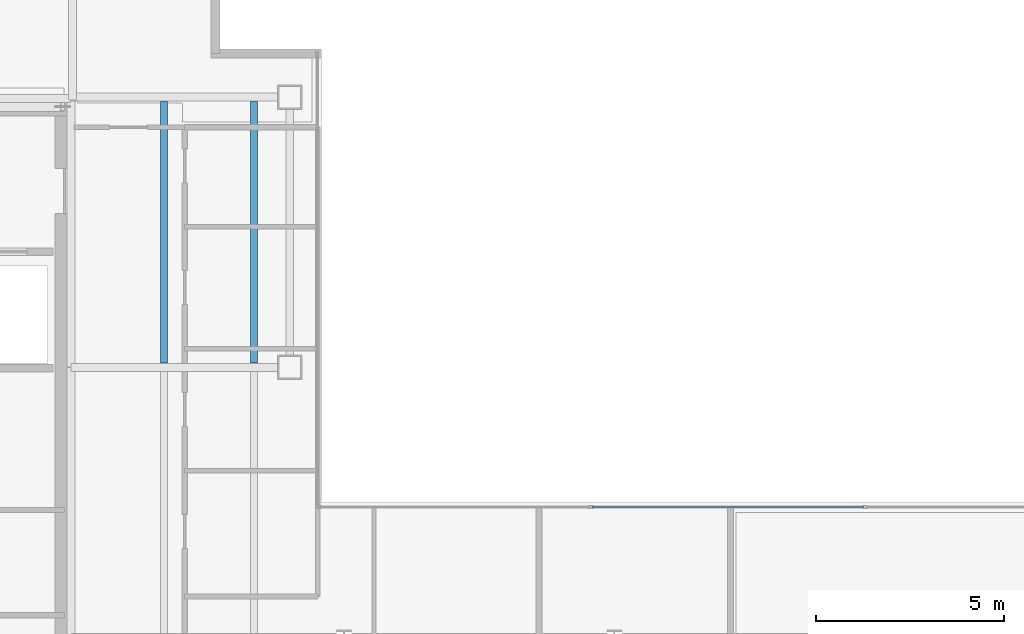
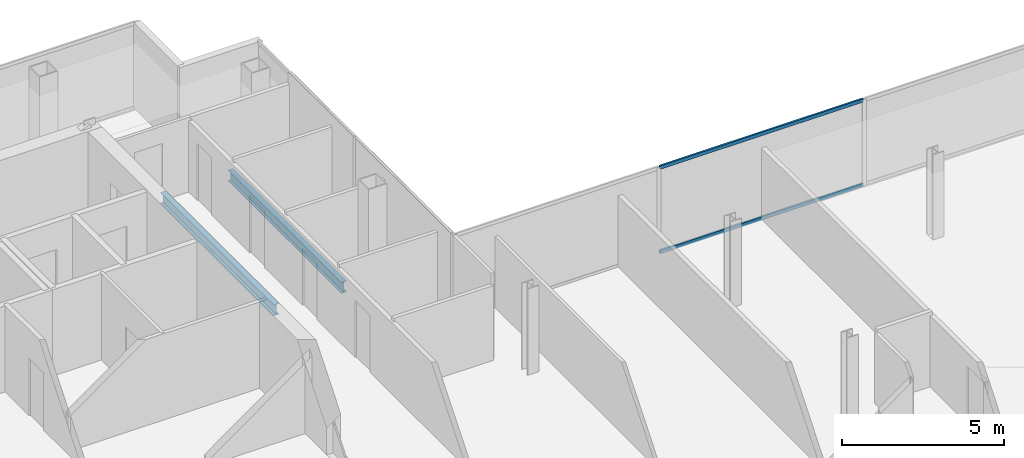
# One storey, part 10 of 23: 2 beams, 2 members, 1 element without a shape of its own.
"""IFC4 building model written with IfcOpenShell, lengths in metres."""

import ifcopenshell
import ifcopenshell.guid

model = None  # the IFC model being written
_history = None  # IfcOwnerHistory: only IFC2X3 demands one
_inside = {}  # id of a spatial element -> (the spatial element, [elements in it])
_under = {}  # id of a project, library or spatial element -> (it, [spatial elements below it])
_declared = {}  # id of a project -> (the project, [libraries it declares])
_typed = {}  # id of a type object -> (the type object, [elements of that type])
_made_of = {}  # id of a material, layer set ... -> (it, [elements and type objects made of it])


def new_model(schema):
    """Start an empty IFC model of exactly this schema.

    Asked for "IFC4X3", IfcOpenShell would pick the latest addendum, in which some entities
    have other attributes; the version numbers below select the first issue.
    IFC2X3 requires an IfcOwnerHistory on every rooted entity: one is made here for all.
    """
    global model, _history
    if schema == "IFC4X3":
        model = ifcopenshell.file(schema_version=(4, 3, 0, 0))
    else:
        model = ifcopenshell.file(schema=schema)
    _inside.clear()
    _under.clear()
    _declared.clear()
    _typed.clear()
    _made_of.clear()
    _history = None
    if model.schema == "IFC2X3":
        org = make("IfcOrganization", Name="unknown")
        user = make(
            "IfcPersonAndOrganization",
            ThePerson=make("IfcPerson", FamilyName="unknown"),
            TheOrganization=org,
        )
        app = make(
            "IfcApplication",
            ApplicationDeveloper=org,
            Version="unknown",
            ApplicationFullName="unknown",
            ApplicationIdentifier="unknown",
        )
        _history = make(
            "IfcOwnerHistory",
            OwningUser=user,
            OwningApplication=app,
            ChangeAction="ADDED",
            CreationDate=0,
        )
    return model


def make(cls, **values):
    """One entity of the class cls with the attributes given. An attribute that is None is left unset."""
    return model.create_entity(
        cls, **{name: value for name, value in values.items() if value is not None}
    )


def rooted(cls, **values):
    """An entity with a GlobalId (a new one), such as an element, a storey or a relation."""
    return make(cls, GlobalId=ifcopenshell.guid.new(), OwnerHistory=_history, **values)


def si_unit(unit_type, name, prefix=None):
    """IfcSIUnit, for example si_unit("LENGTHUNIT", "METRE", prefix="MILLI")."""
    return make("IfcSIUnit", UnitType=unit_type, Prefix=prefix, Name=name)


def assignment(units):
    """IfcUnitAssignment: the units of a project."""
    return None if units is None else make("IfcUnitAssignment", Units=units)


def point(xyz):
    """IfcCartesianPoint."""
    return None if xyz is None else make("IfcCartesianPoint", Coordinates=xyz)


def direction(xyz):
    """IfcDirection."""
    return None if xyz is None else make("IfcDirection", DirectionRatios=xyz)


def frame(location, z_axis=None, x_axis=None):
    """IfcAxis2Placement3D, a coordinate frame: its origin and axes. An axis left out is left unset."""
    return make(
        "IfcAxis2Placement3D",
        Location=point(location),
        Axis=direction(z_axis),
        RefDirection=direction(x_axis),
    )


def frame_2d(location, x_axis=None):
    """IfcAxis2Placement2D, a coordinate frame in the plane: its origin and x axis."""
    return make(
        "IfcAxis2Placement2D", Location=point(location), RefDirection=direction(x_axis)
    )


def origin():
    """The frame at (0, 0, 0) with its axes left unset."""
    return frame((0.0, 0.0, 0.0))


def origin_2d():
    """The frame at (0, 0) in the plane with its x axis left unset."""
    return frame_2d((0.0, 0.0))


def place(relative_to, where):
    """IfcLocalPlacement: puts the frame where relative to a parent placement (None: the world)."""
    return make(
        "IfcLocalPlacement", PlacementRelTo=relative_to, RelativePlacement=where
    )


def context(
    kind, dimensions, precision=None, world=None, true_north=None, identifier=None
):
    """IfcGeometricRepresentationContext, for example the 3D "Model" context."""
    return make(
        "IfcGeometricRepresentationContext",
        ContextIdentifier=identifier,
        ContextType=kind,
        CoordinateSpaceDimension=dimensions,
        Precision=precision,
        WorldCoordinateSystem=world,
        TrueNorth=true_north,
    )


def subcontext(parent, identifier, kind, view, scale=None):
    """IfcGeometricRepresentationSubContext, for example "Body" below "Model"."""
    return make(
        "IfcGeometricRepresentationSubContext",
        ContextIdentifier=identifier,
        ContextType=kind,
        ParentContext=parent,
        TargetScale=scale,
        TargetView=view,
    )


def project(units=None, contexts=None):
    """IfcProject with its units and contexts."""
    return rooted(
        "IfcProject",
        Name="project",
        RepresentationContexts=contexts,
        UnitsInContext=assignment(units),
    )


def spatial(cls, under=None, at=None, **own):
    """A site, building, storey or space (cls), placed at a placement, below another one or the project."""
    s = rooted(cls, ObjectPlacement=at, **own)
    if under is not None:
        _under.setdefault(under.id(), (under, []))[1].append(s)
    return s


def profile(cls, at=None, kind="AREA", **sizes):
    """A parametric profile (cls). Its sizes go by their IFC names, for example OverallWidth=200.0."""
    return make(cls, ProfileType=kind, Position=at, **sizes)


def hollow_rectangle(**sizes):
    """IfcRectangleHollowProfileDef."""
    return profile("IfcRectangleHollowProfileDef", **sizes)


def i_section(**sizes):
    """IfcIShapeProfileDef."""
    return profile("IfcIShapeProfileDef", **sizes)


def extrude(swept, where, along, depth):
    """IfcExtrudedAreaSolid: the profile swept, set in the frame where, extruded along a direction by depth."""
    return make(
        "IfcExtrudedAreaSolid",
        SweptArea=swept,
        Position=where,
        ExtrudedDirection=direction(along),
        Depth=depth,
    )


def shape(context_of_items, identifier, shape_type, items):
    """IfcShapeRepresentation: the items that make up one representation, for example the "Body"."""
    return make(
        "IfcShapeRepresentation",
        ContextOfItems=context_of_items,
        RepresentationIdentifier=identifier,
        RepresentationType=shape_type,
        Items=items,
    )


def material(Name=None, Category=None):
    """IfcMaterial."""
    return make("IfcMaterial", Name=Name, Category=Category)


def material_profile(
    of_material, cross_section, Name=None, Category=None, Priority=None
):
    """IfcMaterialProfile: a cross section and its material."""
    return make(
        "IfcMaterialProfile",
        Name=Name,
        Material=of_material,
        Profile=cross_section,
        Priority=Priority,
        Category=Category,
    )


def profile_set(profiles, Name=None, composite=None):
    """IfcMaterialProfileSet."""
    return make(
        "IfcMaterialProfileSet",
        Name=Name,
        MaterialProfiles=profiles,
        CompositeProfile=composite,
    )


def made_of(thing, what):
    """Note that an element or type object is made of a material, layer set ...; save() writes the relation."""
    if what is not None:
        _made_of.setdefault(what.id(), (what, []))[1].append(thing)
    return thing


def type_object(cls, material=None, **own):
    """A type object (cls), such as IfcWallType, which elements share."""
    return made_of(rooted(cls, **own), material)


def element(
    cls,
    number,
    at=None,
    inside=None,
    cuts=None,
    type_object=None,
    material=None,
    context=None,
    identifier="Body",
    shape_type=None,
    held_by="IfcProductDefinitionShape",
    body=None,
    shapes=None,
    **own,
):
    """One element of the class cls, such as IfcWall. Its Tag is "e" and its number.

    at: its placement. inside: the storey or other place that contains it. cuts: it is an
    opening in that element (IfcRelVoidsElement). A single representation is given by context,
    identifier, shape_type and body (its items); several are given by shapes. held_by: the class
    of the entity that holds the representations. save() writes the other relations.
    """
    e = rooted(cls, Tag="e%d" % number, ObjectPlacement=at, **own)
    if body is not None:
        shapes = [shape(context, identifier, shape_type, body)]
    if shapes is not None:
        e.Representation = make(held_by, Representations=shapes)
    if inside is not None:
        _inside.setdefault(inside.id(), (inside, []))[1].append(e)
    if cuts is not None:
        rooted(
            "IfcRelVoidsElement", RelatingBuildingElement=cuts, RelatedOpeningElement=e
        )
    if type_object is not None:
        _typed.setdefault(type_object.id(), (type_object, []))[1].append(e)
    return made_of(e, material)


def aggregate(whole, parts):
    """IfcRelAggregates: a whole, such as a stair, and the parts it consists of."""
    return rooted("IfcRelAggregates", RelatingObject=whole, RelatedObjects=parts)


def save(model, path):
    """Write the relations noted so far, then the file.

    IfcRelAggregates (storeys below a building ...), IfcRelContainedInSpatialStructure (elements
    in a storey), IfcRelDefinesByType, IfcRelAssociatesMaterial and IfcRelDeclares: one each for
    every whole, place, type object, material and project.
    """
    for whole, parts in _under.values():
        aggregate(whole, parts)
    for where, things in _inside.values():
        rooted(
            "IfcRelContainedInSpatialStructure",
            RelatedElements=things,
            RelatingStructure=where,
        )
    for kind, things in _typed.values():
        rooted("IfcRelDefinesByType", RelatedObjects=things, RelatingType=kind)
    for what, things in _made_of.values():
        rooted("IfcRelAssociatesMaterial", RelatedObjects=things, RelatingMaterial=what)
    for by, libraries in _declared.values():
        rooted("IfcRelDeclares", RelatingContext=by, RelatedDefinitions=libraries)
    model.write(path)


model = new_model("IFC4")

# Units and contexts
model_context = context("Model", 3, precision=1e-05, world=origin(), true_north=direction((0.0, 1.0)))
body_context = subcontext(model_context, "Body", "Model", "MODEL_VIEW")
ifc_project = project(units=[si_unit("LENGTHUNIT", "METRE"), si_unit("AREAUNIT", "SQUARE_METRE"), si_unit("VOLUMEUNIT", "CUBIC_METRE"), si_unit("PLANEANGLEUNIT", "RADIAN"), si_unit("MASSUNIT", "GRAM", prefix="KILO")], contexts=[model_context])

# Site, building, storey
site_placement = place(None, origin())
site = spatial("IfcSite", under=ifc_project, at=site_placement, CompositionType="ELEMENT")
building_placement = place(site_placement, origin())
building = spatial("IfcBuilding", under=site, at=building_placement, Name="Cobrela Telecom Tower", CompositionType="ELEMENT")
storey_placement = place(building_placement, frame((0.0, 0.0, 286.64990234375)))
storey = spatial("IfcBuildingStorey", under=building, at=storey_placement, Name="L75", CompositionType="ELEMENT", Elevation=286.64990234375)

# Beams
ifc_material_1 = material(Name="Steel ASTM A992 Grade 50", Category="steel")
ifc_material_profile_1 = material_profile(ifc_material_1, i_section(OverallWidth=0.179931640625, OverallDepth=0.4169921875, WebThickness=0.010986328125, FlangeThickness=0.01806640625, FilletRadius=0.011962890625, at=origin_2d()), Name="W16X57")
ifc_profile_set_1 = profile_set([ifc_material_profile_1], Name="Steel ASTM A992 Grade 50")
beam_type = type_object("IfcBeamType", Name="BM-JOIST-04", PredefinedType="JOIST", material=ifc_profile_set_1)
for number, where, z_axis, x_axis, name in (
    (1, (16.800048828125, 28.91162109375, -0.468505859375), (0.0, 1.0, 0.0), (-1.0, 0.0, 0.0), "L75 Secondary Composite Floor Beam J03"),
    (2, (19.199951171875, 28.91162109375, -0.468505859375), (0.0, 1.0, 0.0), (-1.0, 0.0, 0.0), "L75 Secondary Composite Floor Beam J06"),
):
    element("IfcBeam", number, at=place(storey_placement, frame(where, z_axis=z_axis, x_axis=x_axis)), inside=storey, type_object=beam_type, Name=name, PredefinedType="JOIST", context=body_context, shape_type="SweptSolid", body=[
        extrude(i_section(OverallWidth=0.179931640625, OverallDepth=0.4169921875, WebThickness=0.010986328125, FlangeThickness=0.01806640625, FilletRadius=0.011962890625, at=origin_2d()), origin(), (0.0, 0.0, 1.0), 6.976806640625),
    ])

# Curtain wall, members
ifc_material_2 = material(Name="Anodized Bronze Aluminium 6063-T6", Category="aluminium")
curtain_wall_type = type_object("IfcCurtainWallType", Name="CW-SYS-OFF-HI", PredefinedType="USERDEFINED", material=ifc_material_2)
curtain_wall_placement = place(storey_placement, origin())
curtain_wall = element("IfcCurtainWall", 3, at=curtain_wall_placement, inside=storey, type_object=curtain_wall_type, Name="L75 Unitised Bronze Curtain Wall 09", ObjectType="UNITISED CURTAIN WALL", PredefinedType="USERDEFINED")
ifc_material_profile_2 = material_profile(ifc_material_2, hollow_rectangle(XDim=0.06494140625, YDim=0.1298828125, WallThickness=0.00390625, at=origin_2d()), Name="ALU 65x130x4")
ifc_profile_set_2 = profile_set([ifc_material_profile_2], Name="Anodized Bronze Aluminium 6063-T6")
member_type = type_object("IfcMemberType", Name="CW-SYS-OFF-HI-TRN", PredefinedType="USERDEFINED", material=ifc_profile_set_2)
member_1_placement = place(storey_placement, frame((28.211669921875, 25.080078125, 0.03271484375), z_axis=(1.0, 0.0, 0.0), x_axis=(0.0, 1.0, 0.0)))
member_1 = element("IfcMember", 4, at=member_1_placement, type_object=member_type, Name="CW-OFF-HI transom 2.1", ObjectType="TRANSOM", PredefinedType="USERDEFINED", context=body_context, shape_type="SweptSolid", body=[
    extrude(hollow_rectangle(XDim=0.06494140625, YDim=0.1298828125, WallThickness=0.00390625, at=origin_2d()), origin(), (0.0, 0.0, 1.0), 7.2265625),
])
member_2_placement = place(storey_placement, frame((28.211669921875, 25.080078125, 3.20751953125), z_axis=(1.0, 0.0, 0.0), x_axis=(0.0, 1.0, 0.0)))
member_2 = element("IfcMember", 5, at=member_2_placement, type_object=member_type, Name="CW-OFF-HI transom 2.2", ObjectType="TRANSOM", PredefinedType="USERDEFINED", context=body_context, shape_type="SweptSolid", body=[
    extrude(hollow_rectangle(XDim=0.06494140625, YDim=0.1298828125, WallThickness=0.00390625, at=origin_2d()), origin(), (0.0, 0.0, 1.0), 7.2265625),
])
aggregate(curtain_wall, [member_1, member_2])

save(model, "model.ifc")
